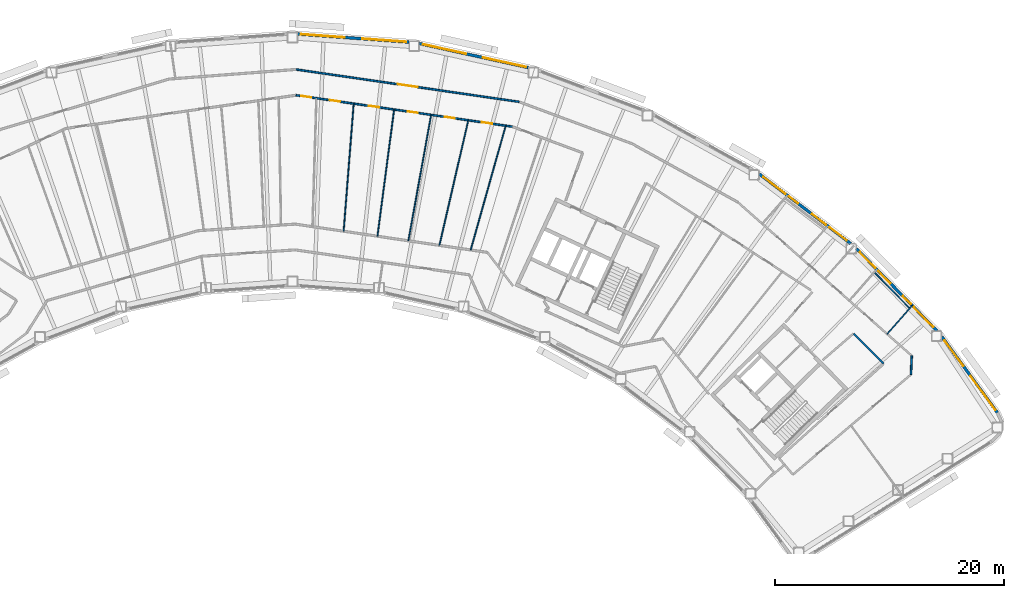
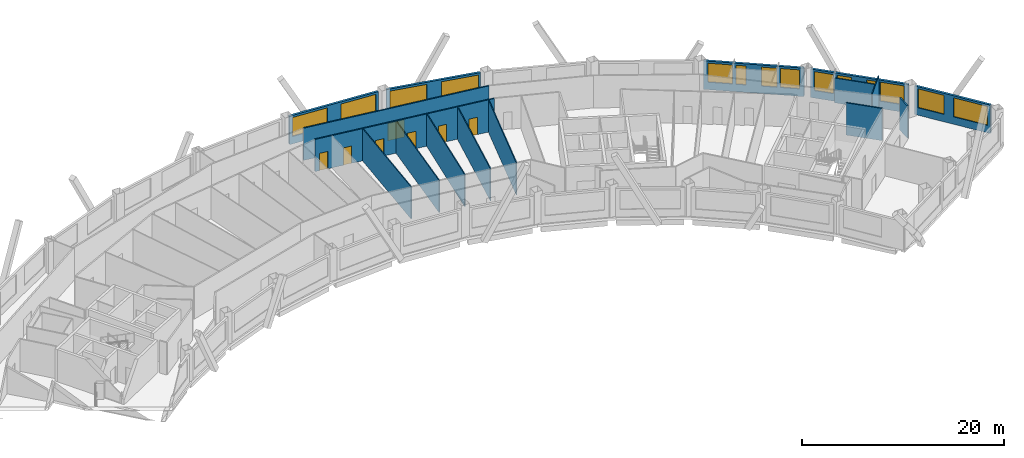
# One storey, part 11 of 15: 16 walls, 14 windows, 7 doors, 21 openings.
"""IFC4 building model written with IfcOpenShell, lengths in metres."""

from ifc_helpers import new_model, si_unit, direction, frame, frame_2d, origin, place, context, subcontext, project, spatial, rectangle, extrude, material, layer, layer_set, type_object, element, fill, save


model = new_model("IFC4")

# Units and contexts
model_context = context("Model", 3, precision=1e-05, world=origin(), true_north=direction((0.0, 1.0)))
body_context = subcontext(model_context, "Body", "Model", "MODEL_VIEW")
ifc_project = project(units=[si_unit("LENGTHUNIT", "METRE"), si_unit("AREAUNIT", "SQUARE_METRE"), si_unit("VOLUMEUNIT", "CUBIC_METRE"), si_unit("PLANEANGLEUNIT", "RADIAN"), si_unit("MASSUNIT", "GRAM", prefix="KILO")], contexts=[model_context])

# Site, building, storey
site_placement = place(None, origin())
site = spatial("IfcSite", under=ifc_project, at=site_placement, CompositionType="ELEMENT")
building_placement = place(site_placement, origin())
building = spatial("IfcBuilding", under=site, at=building_placement, Name="Tuul Gate Civic Tower", CompositionType="ELEMENT")
storey_placement = place(building_placement, frame((0.0, 0.0, 226.300048828125)))
storey = spatial("IfcBuildingStorey", under=building, at=storey_placement, Name="Level 51", CompositionType="ELEMENT", Elevation=226.300048828125)

# Wall, opening, door
ifc_material_1 = material(Name="Gypsum board partition")
ifc_layer_1 = layer(ifc_material_1, 0.14990234375)
ifc_layer_set_1 = layer_set([ifc_layer_1], Name="Gypsum board partition")
wall_type_1 = type_object("IfcWallType", Name="Corridor wall P150", PredefinedType="PARTITIONING", material=ifc_layer_set_1)
wall_1_placement = place(storey_placement, frame((6.242919921875, 15.760986328125, 0.0), z_axis=(0.0, 0.0, 1.0), x_axis=(0.989618566512, -0.143718797706, 0.0)))
wall_1 = element("IfcWall", 1, at=wall_1_placement, inside=storey, type_object=wall_type_1, Name="p010", PredefinedType="PARTITIONING", context=body_context, shape_type="SweptSolid", body=[
    extrude(rectangle(XDim=19.783447265625, YDim=0.14990234375, at=frame_2d((9.8916015625, 0.0))), origin(), (0.0, 0.0, 1.0), 3.89990234375),
])
opening_1_placement = place(wall_1_placement, frame((8.99169921875, 0.0, 0.0)))
opening_1 = element("IfcOpeningElement", 2, at=opening_1_placement, cuts=wall_1, Name="Opening R-D03", PredefinedType="OPENING", context=body_context, shape_type="SweptSolid", body=[
    extrude(rectangle(XDim=1.800048828125, YDim=2.10009765625, at=frame_2d((0.89990234375, 1.050048828125))), frame((0.0, 0.0849609375, 0.0), z_axis=(0.0, -1.0, 0.0), x_axis=(1.0, 0.0, 0.0)), (0.0, 0.0, 1.0), 0.169921875),
])
ifc_material_2 = material(Name="Timber door leaf, double", Category="wood")
door_type_1 = type_object("IfcDoorType", Name="Door D18", OperationType="DOUBLE_DOOR_SINGLE_SWING", PredefinedType="DOOR", material=ifc_material_2)
door_1_placement = place(opening_1_placement, origin())
door_1 = element("IfcDoor", 3, at=door_1_placement, inside=storey, type_object=door_type_1, Name="Door R-D03", OperationType="DOUBLE_DOOR_SINGLE_SWING", OverallHeight=2.10009765625, OverallWidth=1.800048828125, PredefinedType="DOOR", context=body_context, shape_type="SweptSolid", body=[
    extrude(rectangle(XDim=1.800048828125, YDim=2.10009765625, at=frame_2d((0.89990234375, 1.050048828125))), frame((0.0, 0.02490234375, 0.0), z_axis=(0.0, -1.0, 0.0), x_axis=(1.0, 0.0, 0.0)), (0.0, 0.0, 1.0), 0.050048828125),
])
fill(opening_1, door_1)

# Wall
wall_2_placement = place(storey_placement, frame((55.054931640625, -7.350830078125, 0.0), z_axis=(0.0, 0.0, 1.0), x_axis=(0.702549843229, -0.711634539478, 0.0)))
element("IfcWall", 4, at=wall_2_placement, inside=storey, type_object=wall_type_1, Name="p046", PredefinedType="PARTITIONING", context=body_context, shape_type="SweptSolid", body=[
    extrude(rectangle(XDim=3.70849609375, YDim=0.14990234375, at=frame_2d((1.854248046875, 0.0))), origin(), (0.0, 0.0, 1.0), 3.89990234375),
])

# Wall, openings, doors
wall_3_placement = place(storey_placement, frame((6.25, 13.50439453125, 0.0), z_axis=(0.0, 0.0, 1.0), x_axis=(0.989614183691, -0.143748973694, 0.0)))
wall_3 = element("IfcWall", 5, at=wall_3_placement, inside=storey, type_object=wall_type_1, Name="p065", PredefinedType="PARTITIONING", context=body_context, shape_type="SweptSolid", body=[
    extrude(rectangle(XDim=19.130615234375, YDim=0.14990234375, at=frame_2d((9.5654296875, 0.0))), origin(), (0.0, 0.0, 1.0), 3.89990234375),
])
opening_2_placement = place(wall_3_placement, frame((16.439697265625, 0.0, 0.0)))
opening_2 = element("IfcOpeningElement", 6, at=opening_2_placement, cuts=wall_3, Name="Opening R-D19", PredefinedType="OPENING", context=body_context, shape_type="SweptSolid", body=[
    extrude(rectangle(XDim=0.89990234375, YDim=2.10009765625, at=frame_2d((0.449951171875, 1.050048828125))), frame((0.0, 0.0849609375, 0.0), z_axis=(0.0, -1.0, 0.0), x_axis=(1.0, 0.0, 0.0)), (0.0, 0.0, 1.0), 0.169921875),
])
opening_3_placement = place(wall_3_placement, frame((13.142822265625, 0.0, 0.0)))
opening_3 = element("IfcOpeningElement", 7, at=opening_3_placement, cuts=wall_3, Name="Opening R-D20", PredefinedType="OPENING", context=body_context, shape_type="SweptSolid", body=[
    extrude(rectangle(XDim=0.89990234375, YDim=2.10009765625, at=frame_2d((0.449951171875, 1.050048828125))), frame((0.0, 0.0849609375, 0.0), z_axis=(0.0, -1.0, 0.0), x_axis=(1.0, 0.0, 0.0)), (0.0, 0.0, 1.0), 0.169921875),
])
opening_4_placement = place(wall_3_placement, frame((9.864501953125, 0.0, 0.0)))
opening_4 = element("IfcOpeningElement", 8, at=opening_4_placement, cuts=wall_3, Name="Opening R-D21", PredefinedType="OPENING", context=body_context, shape_type="SweptSolid", body=[
    extrude(rectangle(XDim=0.89990234375, YDim=2.10009765625, at=frame_2d((0.449951171875, 1.050048828125))), frame((0.0, 0.0849609375, 0.0), z_axis=(0.0, -1.0, 0.0), x_axis=(1.0, 0.0, 0.0)), (0.0, 0.0, 1.0), 0.169921875),
])
opening_5_placement = place(wall_3_placement, frame((6.4404296875, 0.0, 0.0)))
opening_5 = element("IfcOpeningElement", 9, at=opening_5_placement, cuts=wall_3, Name="Opening R-D22", PredefinedType="OPENING", context=body_context, shape_type="SweptSolid", body=[
    extrude(rectangle(XDim=0.89990234375, YDim=2.10009765625, at=frame_2d((0.449951171875, 1.050048828125))), frame((0.0, 0.0849609375, 0.0), z_axis=(0.0, -1.0, 0.0), x_axis=(1.0, 0.0, 0.0)), (0.0, 0.0, 1.0), 0.169921875),
])
opening_6_placement = place(wall_3_placement, frame((3.003173828125, 0.0, 0.0)))
opening_6 = element("IfcOpeningElement", 10, at=opening_6_placement, cuts=wall_3, Name="Opening R-D23", PredefinedType="OPENING", context=body_context, shape_type="SweptSolid", body=[
    extrude(rectangle(XDim=0.89990234375, YDim=2.10009765625, at=frame_2d((0.449951171875, 1.050048828125))), frame((0.0, 0.0849609375, 0.0), z_axis=(0.0, -1.0, 0.0), x_axis=(1.0, 0.0, 0.0)), (0.0, 0.0, 1.0), 0.169921875),
])
opening_7_placement = place(wall_3_placement, frame((0.451904296875, 0.0, 0.0)))
opening_7 = element("IfcOpeningElement", 11, at=opening_7_placement, cuts=wall_3, Name="Opening R-D24", PredefinedType="OPENING", context=body_context, shape_type="SweptSolid", body=[
    extrude(rectangle(XDim=0.89990234375, YDim=2.10009765625, at=frame_2d((0.449951171875, 1.050048828125))), frame((0.0, 0.0849609375, 0.0), z_axis=(0.0, -1.0, 0.0), x_axis=(1.0, 0.0, 0.0)), (0.0, 0.0, 1.0), 0.169921875),
])
ifc_material_3 = material(Name="Timber door leaf", Category="wood")
door_type_2 = type_object("IfcDoorType", Name="Door D09", OperationType="NOTDEFINED", PredefinedType="DOOR", material=ifc_material_3)
door_2_placement = place(opening_2_placement, frame((0.89990234375, 0.0, 0.0), z_axis=(0.0, 0.0, 1.0), x_axis=(-1.0, 0.0, 0.0)))
door_2 = element("IfcDoor", 12, at=door_2_placement, inside=storey, type_object=door_type_2, Name="Door R-D19", OperationType="SINGLE_SWING_LEFT", OverallHeight=2.10009765625, OverallWidth=0.89990234375, PredefinedType="DOOR", context=body_context, shape_type="SweptSolid", body=[
    extrude(rectangle(XDim=0.89990234375, YDim=2.10009765625, at=frame_2d((0.449951171875, 1.050048828125))), frame((0.0, 0.02490234375, 0.0), z_axis=(0.0, -1.0, 0.0), x_axis=(1.0, 0.0, 0.0)), (0.0, 0.0, 1.0), 0.050048828125),
])
fill(opening_2, door_2)
door_3_placement = place(opening_3_placement, frame((0.89990234375, 0.0, 0.0), z_axis=(0.0, 0.0, 1.0), x_axis=(-1.0, 0.0, 0.0)))
door_3 = element("IfcDoor", 13, at=door_3_placement, inside=storey, type_object=door_type_2, Name="Door R-D20", OperationType="SINGLE_SWING_LEFT", OverallHeight=2.10009765625, OverallWidth=0.89990234375, PredefinedType="DOOR", context=body_context, shape_type="SweptSolid", body=[
    extrude(rectangle(XDim=0.89990234375, YDim=2.10009765625, at=frame_2d((0.449951171875, 1.050048828125))), frame((0.0, 0.02490234375, 0.0), z_axis=(0.0, -1.0, 0.0), x_axis=(1.0, 0.0, 0.0)), (0.0, 0.0, 1.0), 0.050048828125),
])
fill(opening_3, door_3)
door_4_placement = place(opening_4_placement, frame((0.89990234375, 0.0, 0.0), z_axis=(0.0, 0.0, 1.0), x_axis=(-1.0, 0.0, 0.0)))
door_4 = element("IfcDoor", 14, at=door_4_placement, inside=storey, type_object=door_type_2, Name="Door R-D21", OperationType="SINGLE_SWING_LEFT", OverallHeight=2.10009765625, OverallWidth=0.89990234375, PredefinedType="DOOR", context=body_context, shape_type="SweptSolid", body=[
    extrude(rectangle(XDim=0.89990234375, YDim=2.10009765625, at=frame_2d((0.449951171875, 1.050048828125))), frame((0.0, 0.02490234375, 0.0), z_axis=(0.0, -1.0, 0.0), x_axis=(1.0, 0.0, 0.0)), (0.0, 0.0, 1.0), 0.050048828125),
])
fill(opening_4, door_4)
door_5_placement = place(opening_5_placement, frame((0.89990234375, 0.0, 0.0), z_axis=(0.0, 0.0, 1.0), x_axis=(-1.0, 0.0, 0.0)))
door_5 = element("IfcDoor", 15, at=door_5_placement, inside=storey, type_object=door_type_2, Name="Door R-D22", OperationType="SINGLE_SWING_LEFT", OverallHeight=2.10009765625, OverallWidth=0.89990234375, PredefinedType="DOOR", context=body_context, shape_type="SweptSolid", body=[
    extrude(rectangle(XDim=0.89990234375, YDim=2.10009765625, at=frame_2d((0.449951171875, 1.050048828125))), frame((0.0, 0.02490234375, 0.0), z_axis=(0.0, -1.0, 0.0), x_axis=(1.0, 0.0, 0.0)), (0.0, 0.0, 1.0), 0.050048828125),
])
fill(opening_5, door_5)
door_6_placement = place(opening_6_placement, frame((0.89990234375, 0.0, 0.0), z_axis=(0.0, 0.0, 1.0), x_axis=(-1.0, 0.0, 0.0)))
door_6 = element("IfcDoor", 16, at=door_6_placement, inside=storey, type_object=door_type_2, Name="Door R-D23", OperationType="SINGLE_SWING_LEFT", OverallHeight=2.10009765625, OverallWidth=0.89990234375, PredefinedType="DOOR", context=body_context, shape_type="SweptSolid", body=[
    extrude(rectangle(XDim=0.89990234375, YDim=2.10009765625, at=frame_2d((0.449951171875, 1.050048828125))), frame((0.0, 0.02490234375, 0.0), z_axis=(0.0, -1.0, 0.0), x_axis=(1.0, 0.0, 0.0)), (0.0, 0.0, 1.0), 0.050048828125),
])
fill(opening_6, door_6)
door_7_placement = place(opening_7_placement, frame((0.89990234375, 0.0, 0.0), z_axis=(0.0, 0.0, 1.0), x_axis=(-1.0, 0.0, 0.0)))
door_7 = element("IfcDoor", 17, at=door_7_placement, inside=storey, type_object=door_type_2, Name="Door R-D24", OperationType="SINGLE_SWING_LEFT", OverallHeight=2.10009765625, OverallWidth=0.89990234375, PredefinedType="DOOR", context=body_context, shape_type="SweptSolid", body=[
    extrude(rectangle(XDim=0.89990234375, YDim=2.10009765625, at=frame_2d((0.449951171875, 1.050048828125))), frame((0.0, 0.02490234375, 0.0), z_axis=(0.0, -1.0, 0.0), x_axis=(1.0, 0.0, 0.0)), (0.0, 0.0, 1.0), 0.050048828125),
])
fill(opening_7, door_7)

# Wall
wall_4_placement = place(storey_placement, frame((60.05615234375, -10.93701171875, 0.0), z_axis=(0.0, 0.0, 1.0), x_axis=(0.044380927641, 0.999014681204, 0.0)))
element("IfcWall", 18, at=wall_4_placement, inside=storey, type_object=wall_type_1, Name="p109", PredefinedType="PARTITIONING", context=body_context, shape_type="SweptSolid", body=[
    extrude(rectangle(XDim=1.650390625, YDim=0.14990234375, at=frame_2d((0.8251953125, 0.0))), origin(), (0.0, 0.0, 1.0), 3.89990234375),
])

# Wall, openings, windows
ifc_material_4 = material(Name="Precast concrete C40/50", Category="concrete")
ifc_layer_2 = layer(ifc_material_4, 0.25)
ifc_layer_set_2 = layer_set([ifc_layer_2], Name="Precast concrete C40/50")
wall_type_2 = type_object("IfcWallType", Name="External wall", PredefinedType="STANDARD", material=ifc_layer_set_2)
wall_5_placement = place(storey_placement, frame((67.629150390625, -14.27978515625, 0.0), z_axis=(0.0, 0.0, 1.0), x_axis=(-0.589817033075, 0.807536914014, 0.0)))
wall_5 = element("IfcWall", 19, at=wall_5_placement, inside=storey, type_object=wall_type_2, Name="External wall", PredefinedType="STANDARD", context=body_context, shape_type="SweptSolid", body=[
    extrude(rectangle(XDim=8.251953125, YDim=0.25, at=frame_2d((4.1259765625, 0.0))), origin(), (0.0, 0.0, 1.0), 3.449951171875),
])
opening_8_placement = place(wall_5_placement, frame((0.30078125, 0.0, 0.89990234375)))
opening_8 = element("IfcOpeningElement", 20, at=opening_8_placement, cuts=wall_5, Name="Opening W21", PredefinedType="OPENING", context=body_context, shape_type="SweptSolid", body=[
    extrude(rectangle(XDim=3.699951171875, YDim=2.300048828125, at=frame_2d((1.85009765625, 1.14990234375))), frame((0.0, 0.135009765625, 0.0), z_axis=(0.0, -1.0, 0.0), x_axis=(1.0, 0.0, 0.0)), (0.0, 0.0, 1.0), 0.27001953125),
])
opening_9_placement = place(wall_5_placement, frame((5.052001953125, 0.0, 0.89990234375)))
opening_9 = element("IfcOpeningElement", 21, at=opening_9_placement, cuts=wall_5, Name="Opening W23", PredefinedType="OPENING", context=body_context, shape_type="SweptSolid", body=[
    extrude(rectangle(XDim=2.800048828125, YDim=2.300048828125, at=frame_2d((1.39990234375, 1.14990234375))), frame((0.0, 0.135009765625, 0.0), z_axis=(0.0, -1.0, 0.0), x_axis=(1.0, 0.0, 0.0)), (0.0, 0.0, 1.0), 0.27001953125),
])
ifc_material_5 = material(Name="Glass", Category="glass")
window_type_1 = type_object("IfcWindowType", Name="Window W21 3700 x 2300", PartitioningType="SINGLE_PANEL", PredefinedType="WINDOW", material=ifc_material_5)
window_1_placement = place(opening_8_placement, origin())
window_1 = element("IfcWindow", 22, at=window_1_placement, inside=storey, type_object=window_type_1, Name="Window", OverallHeight=2.300048828125, OverallWidth=3.699951171875, PartitioningType="SINGLE_PANEL", PredefinedType="WINDOW", context=body_context, shape_type="SweptSolid", body=[
    extrude(rectangle(XDim=3.699951171875, YDim=2.300048828125, at=frame_2d((1.85009765625, 1.14990234375))), frame((0.0, 0.030029296875, 0.0), z_axis=(0.0, -1.0, 0.0), x_axis=(1.0, 0.0, 0.0)), (0.0, 0.0, 1.0), 0.06005859375),
])
fill(opening_8, window_1)
ifc_material_6 = material(Name="Glass", Category="glass")
window_type_2 = type_object("IfcWindowType", Name="Window W23 2800 x 2300", PartitioningType="SINGLE_PANEL", PredefinedType="WINDOW", material=ifc_material_6)
window_2_placement = place(opening_9_placement, origin())
window_2 = element("IfcWindow", 23, at=window_2_placement, inside=storey, type_object=window_type_2, Name="Window", OverallHeight=2.300048828125, OverallWidth=2.800048828125, PartitioningType="SINGLE_PANEL", PredefinedType="WINDOW", context=body_context, shape_type="SweptSolid", body=[
    extrude(rectangle(XDim=2.800048828125, YDim=2.300048828125, at=frame_2d((1.39990234375, 1.14990234375))), frame((0.0, 0.030029296875, 0.0), z_axis=(0.0, -1.0, 0.0), x_axis=(1.0, 0.0, 0.0)), (0.0, 0.0, 1.0), 0.06005859375),
])
fill(opening_9, window_2)

wall_6_placement = place(storey_placement, frame((62.3251953125, -7.10009765625, 0.0), z_axis=(0.0, 0.0, 1.0), x_axis=(-0.699993234942, 0.714149473875, 0.0)))
wall_6 = element("IfcWall", 24, at=wall_6_placement, inside=storey, type_object=wall_type_2, Name="External wall", PredefinedType="STANDARD", context=body_context, shape_type="SweptSolid", body=[
    extrude(rectangle(XDim=10.054443359375, YDim=0.25, at=frame_2d((5.02734375, 0.0))), origin(), (0.0, 0.0, 1.0), 3.449951171875),
])
opening_10_placement = place(wall_6_placement, frame((0.434814453125, 0.0, 0.89990234375)))
opening_10 = element("IfcOpeningElement", 25, at=opening_10_placement, cuts=wall_6, Name="Opening W56", PredefinedType="OPENING", context=body_context, shape_type="SweptSolid", body=[
    extrude(rectangle(XDim=2.449951171875, YDim=2.300048828125, at=frame_2d((1.22509765625, 1.14990234375))), frame((0.0, 0.135009765625, 0.0), z_axis=(0.0, -1.0, 0.0), x_axis=(1.0, 0.0, 0.0)), (0.0, 0.0, 1.0), 0.27001953125),
])
opening_11_placement = place(wall_6_placement, frame((3.259765625, 0.0, 0.89990234375)))
opening_11 = element("IfcOpeningElement", 26, at=opening_11_placement, cuts=wall_6, Name="Opening W57", PredefinedType="OPENING", context=body_context, shape_type="SweptSolid", body=[
    extrude(rectangle(XDim=1.0, YDim=2.300048828125, at=frame_2d((0.5, 1.14990234375))), frame((0.0, 0.135009765625, 0.0), z_axis=(0.0, -1.0, 0.0), x_axis=(1.0, 0.0, 0.0)), (0.0, 0.0, 1.0), 0.27001953125),
])
opening_12_placement = place(wall_6_placement, frame((5.81103515625, 0.0, 0.89990234375)))
opening_12 = element("IfcOpeningElement", 27, at=opening_12_placement, cuts=wall_6, Name="Opening W58", PredefinedType="OPENING", context=body_context, shape_type="SweptSolid", body=[
    extrude(rectangle(XDim=1.5, YDim=2.300048828125, at=frame_2d((0.75, 1.14990234375))), frame((0.0, 0.135009765625, 0.0), z_axis=(0.0, -1.0, 0.0), x_axis=(1.0, 0.0, 0.0)), (0.0, 0.0, 1.0), 0.27001953125),
])
opening_13_placement = place(wall_6_placement, frame((7.68603515625, 0.0, 0.89990234375)))
opening_13 = element("IfcOpeningElement", 28, at=opening_13_placement, cuts=wall_6, Name="Opening W46", PredefinedType="OPENING", context=body_context, shape_type="SweptSolid", body=[
    extrude(rectangle(XDim=1.949951171875, YDim=2.300048828125, at=frame_2d((0.97509765625, 1.14990234375))), frame((0.0, 0.135009765625, 0.0), z_axis=(0.0, -1.0, 0.0), x_axis=(1.0, 0.0, 0.0)), (0.0, 0.0, 1.0), 0.27001953125),
])
ifc_material_7 = material(Name="Glass", Category="glass")
window_type_3 = type_object("IfcWindowType", Name="Window 1000 x 2300", PartitioningType="SINGLE_PANEL", PredefinedType="WINDOW", material=ifc_material_7)
window_3_placement = place(opening_11_placement, origin())
window_3 = element("IfcWindow", 29, at=window_3_placement, inside=storey, type_object=window_type_3, Name="Window", OverallHeight=2.300048828125, OverallWidth=1.0, PartitioningType="SINGLE_PANEL", PredefinedType="WINDOW", context=body_context, shape_type="SweptSolid", body=[
    extrude(rectangle(XDim=1.0, YDim=2.300048828125, at=frame_2d((0.5, 1.14990234375))), frame((0.0, 0.030029296875, 0.0), z_axis=(0.0, -1.0, 0.0), x_axis=(1.0, 0.0, 0.0)), (0.0, 0.0, 1.0), 0.06005859375),
])
fill(opening_11, window_3)
ifc_material_8 = material(Name="Glass", Category="glass")
window_type_4 = type_object("IfcWindowType", Name="Window 1500 x 2300", PartitioningType="SINGLE_PANEL", PredefinedType="WINDOW", material=ifc_material_8)
window_4_placement = place(opening_12_placement, origin())
window_4 = element("IfcWindow", 30, at=window_4_placement, inside=storey, type_object=window_type_4, Name="Window", OverallHeight=2.300048828125, OverallWidth=1.5, PartitioningType="SINGLE_PANEL", PredefinedType="WINDOW", context=body_context, shape_type="SweptSolid", body=[
    extrude(rectangle(XDim=1.5, YDim=2.300048828125, at=frame_2d((0.75, 1.14990234375))), frame((0.0, 0.030029296875, 0.0), z_axis=(0.0, -1.0, 0.0), x_axis=(1.0, 0.0, 0.0)), (0.0, 0.0, 1.0), 0.06005859375),
])
fill(opening_12, window_4)
ifc_material_9 = material(Name="Glass", Category="glass")
window_type_5 = type_object("IfcWindowType", Name="Window 1950 x 2300", PartitioningType="SINGLE_PANEL", PredefinedType="WINDOW", material=ifc_material_9)
window_5_placement = place(opening_13_placement, origin())
window_5 = element("IfcWindow", 31, at=window_5_placement, inside=storey, type_object=window_type_5, Name="Window", OverallHeight=2.300048828125, OverallWidth=1.949951171875, PartitioningType="SINGLE_PANEL", PredefinedType="WINDOW", context=body_context, shape_type="SweptSolid", body=[
    extrude(rectangle(XDim=1.949951171875, YDim=2.300048828125, at=frame_2d((0.97509765625, 1.14990234375))), frame((0.0, 0.030029296875, 0.0), z_axis=(0.0, -1.0, 0.0), x_axis=(1.0, 0.0, 0.0)), (0.0, 0.0, 1.0), 0.06005859375),
])
fill(opening_13, window_5)
ifc_material_10 = material(Name="Glass", Category="glass")
window_type_6 = type_object("IfcWindowType", Name="Window 2450 x 2300", PartitioningType="SINGLE_PANEL", PredefinedType="WINDOW", material=ifc_material_10)
window_6_placement = place(opening_10_placement, origin())
window_6 = element("IfcWindow", 32, at=window_6_placement, inside=storey, type_object=window_type_6, Name="Window", OverallHeight=2.300048828125, OverallWidth=2.449951171875, PartitioningType="SINGLE_PANEL", PredefinedType="WINDOW", context=body_context, shape_type="SweptSolid", body=[
    extrude(rectangle(XDim=2.449951171875, YDim=2.300048828125, at=frame_2d((1.22509765625, 1.14990234375))), frame((0.0, 0.030029296875, 0.0), z_axis=(0.0, -1.0, 0.0), x_axis=(1.0, 0.0, 0.0)), (0.0, 0.0, 1.0), 0.06005859375),
])
fill(opening_10, window_6)

wall_7_placement = place(storey_placement, frame((54.782470703125, 0.52490234375, 0.0), z_axis=(0.0, 0.0, 1.0), x_axis=(-0.795600211162, 0.605822006862, 0.0)))
wall_7 = element("IfcWall", 33, at=wall_7_placement, inside=storey, type_object=wall_type_2, Name="External wall", PredefinedType="STANDARD", context=body_context, shape_type="SweptSolid", body=[
    extrude(rectangle(XDim=10.043212890625, YDim=0.25, at=frame_2d((5.021484375, 0.0))), origin(), (0.0, 0.0, 1.0), 3.449951171875),
])
opening_14_placement = place(wall_7_placement, frame((5.784912109375, 0.0, 0.89990234375)))
opening_14 = element("IfcOpeningElement", 34, at=opening_14_placement, cuts=wall_7, Name="Opening W57", PredefinedType="OPENING", context=body_context, shape_type="SweptSolid", body=[
    extrude(rectangle(XDim=1.0, YDim=2.300048828125, at=frame_2d((0.5, 1.14990234375))), frame((0.0, 0.135009765625, 0.0), z_axis=(0.0, -1.0, 0.0), x_axis=(1.0, 0.0, 0.0)), (0.0, 0.0, 1.0), 0.27001953125),
])
opening_15_placement = place(wall_7_placement, frame((7.159912109375, 0.0, 0.89990234375)))
opening_15 = element("IfcOpeningElement", 35, at=opening_15_placement, cuts=wall_7, Name="Opening W56", PredefinedType="OPENING", context=body_context, shape_type="SweptSolid", body=[
    extrude(rectangle(XDim=2.449951171875, YDim=2.300048828125, at=frame_2d((1.22509765625, 1.14990234375))), frame((0.0, 0.135009765625, 0.0), z_axis=(0.0, -1.0, 0.0), x_axis=(1.0, 0.0, 0.0)), (0.0, 0.0, 1.0), 0.27001953125),
])
opening_16_placement = place(wall_7_placement, frame((0.433349609375, 0.0, 0.89990234375)))
opening_16 = element("IfcOpeningElement", 36, at=opening_16_placement, cuts=wall_7, Name="Opening W59", PredefinedType="OPENING", context=body_context, shape_type="SweptSolid", body=[
    extrude(rectangle(XDim=1.89990234375, YDim=2.300048828125, at=frame_2d((0.949951171875, 1.14990234375))), frame((0.0, 0.135009765625, 0.0), z_axis=(0.0, -1.0, 0.0), x_axis=(1.0, 0.0, 0.0)), (0.0, 0.0, 1.0), 0.27001953125),
])
opening_17_placement = place(wall_7_placement, frame((2.708251953125, 0.0, 0.89990234375)))
opening_17 = element("IfcOpeningElement", 37, at=opening_17_placement, cuts=wall_7, Name="Opening W60", PredefinedType="OPENING", context=body_context, shape_type="SweptSolid", body=[
    extrude(rectangle(XDim=1.550048828125, YDim=2.300048828125, at=frame_2d((0.77490234375, 1.14990234375))), frame((0.0, 0.135009765625, 0.0), z_axis=(0.0, -1.0, 0.0), x_axis=(1.0, 0.0, 0.0)), (0.0, 0.0, 1.0), 0.27001953125),
])
window_7_placement = place(opening_14_placement, origin())
window_7 = element("IfcWindow", 38, at=window_7_placement, inside=storey, type_object=window_type_3, Name="Window", OverallHeight=2.300048828125, OverallWidth=1.0, PartitioningType="SINGLE_PANEL", PredefinedType="WINDOW", context=body_context, shape_type="SweptSolid", body=[
    extrude(rectangle(XDim=1.0, YDim=2.300048828125, at=frame_2d((0.5, 1.14990234375))), frame((0.0, 0.030029296875, 0.0), z_axis=(0.0, -1.0, 0.0), x_axis=(1.0, 0.0, 0.0)), (0.0, 0.0, 1.0), 0.06005859375),
])
fill(opening_14, window_7)
ifc_material_11 = material(Name="Glass", Category="glass")
window_type_7 = type_object("IfcWindowType", Name="Window 1550 x 2300", PartitioningType="SINGLE_PANEL", PredefinedType="WINDOW", material=ifc_material_11)
window_8_placement = place(opening_17_placement, origin())
window_8 = element("IfcWindow", 39, at=window_8_placement, inside=storey, type_object=window_type_7, Name="Window", OverallHeight=2.300048828125, OverallWidth=1.550048828125, PartitioningType="SINGLE_PANEL", PredefinedType="WINDOW", context=body_context, shape_type="SweptSolid", body=[
    extrude(rectangle(XDim=1.550048828125, YDim=2.300048828125, at=frame_2d((0.77490234375, 1.14990234375))), frame((0.0, 0.030029296875, 0.0), z_axis=(0.0, -1.0, 0.0), x_axis=(1.0, 0.0, 0.0)), (0.0, 0.0, 1.0), 0.06005859375),
])
fill(opening_17, window_8)
ifc_material_12 = material(Name="Glass", Category="glass")
window_type_8 = type_object("IfcWindowType", Name="Window 1900 x 2300", PartitioningType="SINGLE_PANEL", PredefinedType="WINDOW", material=ifc_material_12)
window_9_placement = place(opening_16_placement, origin())
window_9 = element("IfcWindow", 40, at=window_9_placement, inside=storey, type_object=window_type_8, Name="Window", OverallHeight=2.300048828125, OverallWidth=1.89990234375, PartitioningType="SINGLE_PANEL", PredefinedType="WINDOW", context=body_context, shape_type="SweptSolid", body=[
    extrude(rectangle(XDim=1.89990234375, YDim=2.300048828125, at=frame_2d((0.949951171875, 1.14990234375))), frame((0.0, 0.030029296875, 0.0), z_axis=(0.0, -1.0, 0.0), x_axis=(1.0, 0.0, 0.0)), (0.0, 0.0, 1.0), 0.06005859375),
])
fill(opening_16, window_9)
window_10_placement = place(opening_15_placement, origin())
window_10 = element("IfcWindow", 41, at=window_10_placement, inside=storey, type_object=window_type_6, Name="Window", OverallHeight=2.300048828125, OverallWidth=2.449951171875, PartitioningType="SINGLE_PANEL", PredefinedType="WINDOW", context=body_context, shape_type="SweptSolid", body=[
    extrude(rectangle(XDim=2.449951171875, YDim=2.300048828125, at=frame_2d((1.22509765625, 1.14990234375))), frame((0.0, 0.030029296875, 0.0), z_axis=(0.0, -1.0, 0.0), x_axis=(1.0, 0.0, 0.0)), (0.0, 0.0, 1.0), 0.06005859375),
])
fill(opening_15, window_10)

wall_8_placement = place(storey_placement, frame((26.56591796875, 15.927490234375, 0.0), z_axis=(0.0, 0.0, 1.0), x_axis=(-0.976564786218, 0.215223647211, 0.0)))
wall_8 = element("IfcWall", 42, at=wall_8_placement, inside=storey, type_object=wall_type_2, Name="External wall", PredefinedType="STANDARD", context=body_context, shape_type="SweptSolid", body=[
    extrude(rectangle(XDim=9.75537109375, YDim=0.25, at=frame_2d((4.877685546875, 0.0))), origin(), (0.0, 0.0, 1.0), 3.449951171875),
])
opening_18_placement = place(wall_8_placement, frame((0.1953125, 0.0, 0.89990234375)))
opening_18 = element("IfcOpeningElement", 43, at=opening_18_placement, cuts=wall_8, Name="Opening W22", PredefinedType="OPENING", context=body_context, shape_type="SweptSolid", body=[
    extrude(rectangle(XDim=3.85009765625, YDim=2.300048828125, at=frame_2d((1.925048828125, 1.14990234375))), frame((0.0, 0.135009765625, 0.0), z_axis=(0.0, -1.0, 0.0), x_axis=(1.0, 0.0, 0.0)), (0.0, 0.0, 1.0), 0.27001953125),
])
opening_19_placement = place(wall_8_placement, frame((5.566650390625, 0.0, 0.89990234375)))
opening_19 = element("IfcOpeningElement", 44, at=opening_19_placement, cuts=wall_8, Name="Opening W22", PredefinedType="OPENING", context=body_context, shape_type="SweptSolid", body=[
    extrude(rectangle(XDim=3.85009765625, YDim=2.300048828125, at=frame_2d((1.925048828125, 1.14990234375))), frame((0.0, 0.135009765625, 0.0), z_axis=(0.0, -1.0, 0.0), x_axis=(1.0, 0.0, 0.0)), (0.0, 0.0, 1.0), 0.27001953125),
])
ifc_material_13 = material(Name="Glass", Category="glass")
window_type_9 = type_object("IfcWindowType", Name="Window W22 3850 x 2300", PartitioningType="SINGLE_PANEL", PredefinedType="WINDOW", material=ifc_material_13)
window_11_placement = place(opening_18_placement, origin())
window_11 = element("IfcWindow", 45, at=window_11_placement, inside=storey, type_object=window_type_9, Name="Window", OverallHeight=2.300048828125, OverallWidth=3.85009765625, PartitioningType="SINGLE_PANEL", PredefinedType="WINDOW", context=body_context, shape_type="SweptSolid", body=[
    extrude(rectangle(XDim=3.85009765625, YDim=2.300048828125, at=frame_2d((1.925048828125, 1.14990234375))), frame((0.0, 0.030029296875, 0.0), z_axis=(0.0, -1.0, 0.0), x_axis=(1.0, 0.0, 0.0)), (0.0, 0.0, 1.0), 0.06005859375),
])
fill(opening_18, window_11)
window_12_placement = place(opening_19_placement, origin())
window_12 = element("IfcWindow", 46, at=window_12_placement, inside=storey, type_object=window_type_9, Name="Window", OverallHeight=2.300048828125, OverallWidth=3.85009765625, PartitioningType="SINGLE_PANEL", PredefinedType="WINDOW", context=body_context, shape_type="SweptSolid", body=[
    extrude(rectangle(XDim=3.85009765625, YDim=2.300048828125, at=frame_2d((1.925048828125, 1.14990234375))), frame((0.0, 0.030029296875, 0.0), z_axis=(0.0, -1.0, 0.0), x_axis=(1.0, 0.0, 0.0)), (0.0, 0.0, 1.0), 0.06005859375),
])
fill(opening_19, window_12)

wall_9_placement = place(storey_placement, frame((16.138916015625, 18.152099609375, 0.0), z_axis=(0.0, 0.0, 1.0), x_axis=(-0.997380514853, 0.072333315912, 0.0)))
wall_9 = element("IfcWall", 47, at=wall_9_placement, inside=storey, type_object=wall_type_2, Name="External wall", PredefinedType="STANDARD", context=body_context, shape_type="SweptSolid", body=[
    extrude(rectangle(XDim=9.774658203125, YDim=0.25, at=frame_2d((4.88720703125, 0.0))), origin(), (0.0, 0.0, 1.0), 3.449951171875),
])
opening_20_placement = place(wall_9_placement, frame((0.253173828125, 0.0, 0.89990234375)))
opening_20 = element("IfcOpeningElement", 48, at=opening_20_placement, cuts=wall_9, Name="Opening W22", PredefinedType="OPENING", context=body_context, shape_type="SweptSolid", body=[
    extrude(rectangle(XDim=3.85009765625, YDim=2.300048828125, at=frame_2d((1.925048828125, 1.14990234375))), frame((0.0, 0.135009765625, 0.0), z_axis=(0.0, -1.0, 0.0), x_axis=(1.0, 0.0, 0.0)), (0.0, 0.0, 1.0), 0.27001953125),
])
opening_21_placement = place(wall_9_placement, frame((5.624267578125, 0.0, 0.89990234375)))
opening_21 = element("IfcOpeningElement", 49, at=opening_21_placement, cuts=wall_9, Name="Opening W22", PredefinedType="OPENING", context=body_context, shape_type="SweptSolid", body=[
    extrude(rectangle(XDim=3.85009765625, YDim=2.300048828125, at=frame_2d((1.925048828125, 1.14990234375))), frame((0.0, 0.135009765625, 0.0), z_axis=(0.0, -1.0, 0.0), x_axis=(1.0, 0.0, 0.0)), (0.0, 0.0, 1.0), 0.27001953125),
])
window_13_placement = place(opening_20_placement, origin())
window_13 = element("IfcWindow", 50, at=window_13_placement, inside=storey, type_object=window_type_9, Name="Window", OverallHeight=2.300048828125, OverallWidth=3.85009765625, PartitioningType="SINGLE_PANEL", PredefinedType="WINDOW", context=body_context, shape_type="SweptSolid", body=[
    extrude(rectangle(XDim=3.85009765625, YDim=2.300048828125, at=frame_2d((1.925048828125, 1.14990234375))), frame((0.0, 0.030029296875, 0.0), z_axis=(0.0, -1.0, 0.0), x_axis=(1.0, 0.0, 0.0)), (0.0, 0.0, 1.0), 0.06005859375),
])
fill(opening_20, window_13)
window_14_placement = place(opening_21_placement, origin())
window_14 = element("IfcWindow", 51, at=window_14_placement, inside=storey, type_object=window_type_9, Name="Window", OverallHeight=2.300048828125, OverallWidth=3.85009765625, PartitioningType="SINGLE_PANEL", PredefinedType="WINDOW", context=body_context, shape_type="SweptSolid", body=[
    extrude(rectangle(XDim=3.85009765625, YDim=2.300048828125, at=frame_2d((1.925048828125, 1.14990234375))), frame((0.0, 0.030029296875, 0.0), z_axis=(0.0, -1.0, 0.0), x_axis=(1.0, 0.0, 0.0)), (0.0, 0.0, 1.0), 0.06005859375),
])
fill(opening_21, window_14)

# Walls
ifc_material_14 = material(Name="Gypsum board partition")
ifc_layer_3 = layer(ifc_material_14, 0.10009765625)
ifc_layer_set_3 = layer_set([ifc_layer_3], Name="Gypsum board partition")
wall_type_3 = type_object("IfcWallType", Name="Partition P100", PredefinedType="PARTITIONING", material=ifc_layer_set_3)
wall_10_placement = place(storey_placement, frame((57.97607421875, -7.387939453125, 0.0), z_axis=(0.0, 0.0, 1.0), x_axis=(0.661699438217, 0.74976920013, 0.0)))
element("IfcWall", 52, at=wall_10_placement, inside=storey, type_object=wall_type_3, Name="p001", PredefinedType="PARTITIONING", context=body_context, shape_type="SweptSolid", body=[
    extrude(rectangle(XDim=3.321044921875, YDim=0.10009765625, at=frame_2d((1.66064453125, 0.0))), origin(), (0.0, 0.0, 1.0), 3.89990234375),
])
wall_11_placement = place(storey_placement, frame((21.535888671875, -0.033447265625, 0.0), z_axis=(0.0, 0.0, 1.0), x_axis=(0.271433984852, 0.962457059752, 0.0)))
element("IfcWall", 53, at=wall_11_placement, inside=storey, type_object=wall_type_3, Name="p064", PredefinedType="PARTITIONING", context=body_context, shape_type="SweptSolid", body=[
    extrude(rectangle(XDim=11.296142578125, YDim=0.10009765625, at=frame_2d((5.64794921875, 0.0))), origin(), (0.0, 0.0, 1.0), 3.89990234375),
])
wall_12_placement = place(storey_placement, frame((18.7998046875, 0.369873046875, 0.0), z_axis=(0.0, 0.0, 1.0), x_axis=(0.224938876521, 0.974372876177, 0.0)))
element("IfcWall", 54, at=wall_12_placement, inside=storey, type_object=wall_type_3, Name="p067", PredefinedType="PARTITIONING", context=body_context, shape_type="SweptSolid", body=[
    extrude(rectangle(XDim=11.232421875, YDim=0.10009765625, at=frame_2d((5.6162109375, 0.0))), origin(), (0.0, 0.0, 1.0), 3.89990234375),
])
wall_13_placement = place(storey_placement, frame((16.084716796875, 0.770263671875, 0.0), z_axis=(0.0, 0.0, 1.0), x_axis=(0.177952676441, 0.984039046455, 0.0)))
element("IfcWall", 55, at=wall_13_placement, inside=storey, type_object=wall_type_3, Name="p068", PredefinedType="PARTITIONING", context=body_context, shape_type="SweptSolid", body=[
    extrude(rectangle(XDim=11.195068359375, YDim=0.10009765625, at=frame_2d((5.59765625, 0.0))), origin(), (0.0, 0.0, 1.0), 3.89990234375),
])
wall_14_placement = place(storey_placement, frame((13.37841796875, 1.16943359375, 0.0), z_axis=(0.0, 0.0, 1.0), x_axis=(0.130529056492, 0.991444484281, 0.0)))
element("IfcWall", 56, at=wall_14_placement, inside=storey, type_object=wall_type_3, Name="p069", PredefinedType="PARTITIONING", context=body_context, shape_type="SweptSolid", body=[
    extrude(rectangle(XDim=11.18310546875, YDim=0.10009765625, at=frame_2d((5.591552734375, 0.0))), origin(), (0.0, 0.0, 1.0), 3.89990234375),
])
wall_15_placement = place(storey_placement, frame((10.4208984375, 1.60546875, 0.0), z_axis=(0.0, 0.0, 1.0), x_axis=(0.078451646347, 0.996917919984, 0.0)))
element("IfcWall", 57, at=wall_15_placement, inside=storey, type_object=wall_type_3, Name="p070", PredefinedType="PARTITIONING", context=body_context, shape_type="SweptSolid", body=[
    extrude(rectangle(XDim=11.199951171875, YDim=0.10009765625, at=frame_2d((5.60009765625, 0.0))), origin(), (0.0, 0.0, 1.0), 3.89990234375),
])
ifc_material_15 = material(Name="Gypsum board partition")
ifc_layer_4 = layer(ifc_material_15, 0.10009765625)
ifc_layer_set_4 = layer_set([ifc_layer_4], Name="Gypsum board partition")
wall_type_4 = type_object("IfcWallType", Name="Partition P100 3000 HIGH", PredefinedType="PARTITIONING", material=ifc_layer_set_4)
wall_16_placement = place(storey_placement, frame((56.852783203125, -1.981201171875, 0.0), z_axis=(0.0, 0.0, 1.0), x_axis=(0.699992090457, -0.714150595671, 0.0)))
element("IfcWall", 58, at=wall_16_placement, inside=storey, type_object=wall_type_4, Name="p112", PredefinedType="PARTITIONING", context=body_context, shape_type="SweptSolid", body=[
    extrude(rectangle(XDim=4.431640625, YDim=0.10009765625, at=frame_2d((2.2158203125, 0.0))), origin(), (0.0, 0.0, 1.0), 3.0),
])

save(model, "model.ifc")
